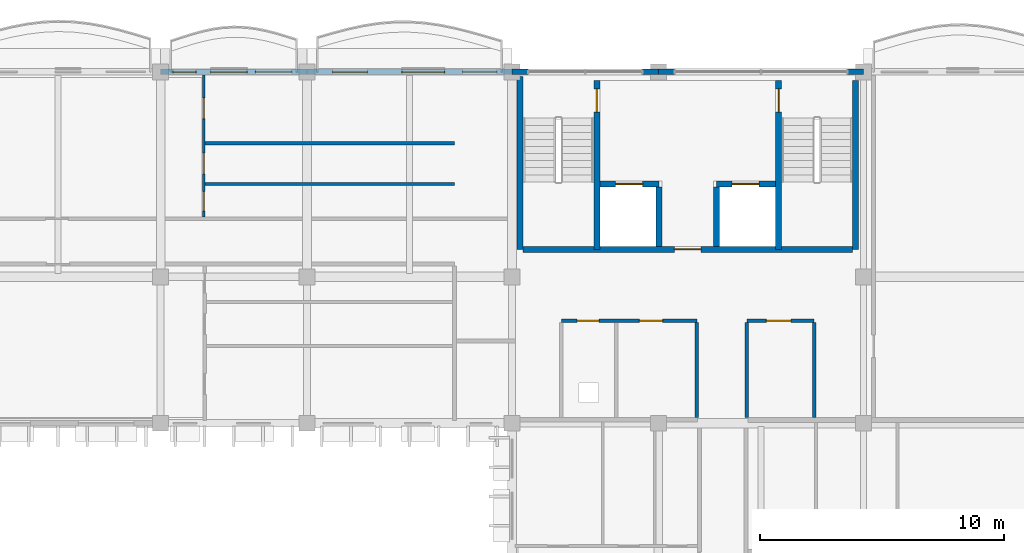
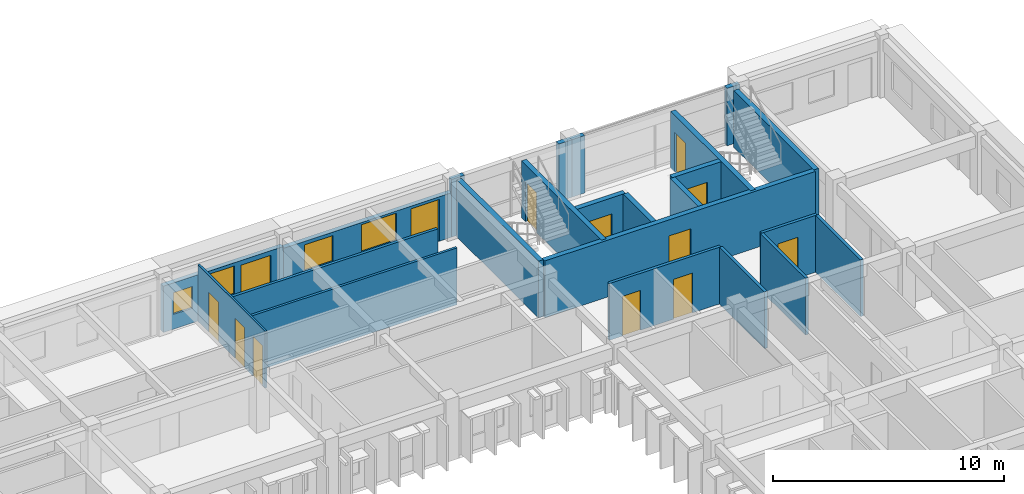
# One storey, part 65 of 101: 23 walls, 13 doors, 4 windows, 17 openings.
"""IFC4 building model written with IfcOpenShell, lengths in metres."""

import ifcopenshell
import ifcopenshell.guid

model = None  # the IFC model being written
_history = None  # IfcOwnerHistory: only IFC2X3 demands one
_inside = {}  # id of a spatial element -> (the spatial element, [elements in it])
_under = {}  # id of a project, library or spatial element -> (it, [spatial elements below it])
_declared = {}  # id of a project -> (the project, [libraries it declares])
_typed = {}  # id of a type object -> (the type object, [elements of that type])
_made_of = {}  # id of a material, layer set ... -> (it, [elements and type objects made of it])


def new_model(schema):
    """Start an empty IFC model of exactly this schema.

    Asked for "IFC4X3", IfcOpenShell would pick the latest addendum, in which some entities
    have other attributes; the version numbers below select the first issue.
    IFC2X3 requires an IfcOwnerHistory on every rooted entity: one is made here for all.
    """
    global model, _history
    if schema == "IFC4X3":
        model = ifcopenshell.file(schema_version=(4, 3, 0, 0))
    else:
        model = ifcopenshell.file(schema=schema)
    _inside.clear()
    _under.clear()
    _declared.clear()
    _typed.clear()
    _made_of.clear()
    _history = None
    if model.schema == "IFC2X3":
        org = make("IfcOrganization", Name="unknown")
        user = make(
            "IfcPersonAndOrganization",
            ThePerson=make("IfcPerson", FamilyName="unknown"),
            TheOrganization=org,
        )
        app = make(
            "IfcApplication",
            ApplicationDeveloper=org,
            Version="unknown",
            ApplicationFullName="unknown",
            ApplicationIdentifier="unknown",
        )
        _history = make(
            "IfcOwnerHistory",
            OwningUser=user,
            OwningApplication=app,
            ChangeAction="ADDED",
            CreationDate=0,
        )
    return model


def make(cls, **values):
    """One entity of the class cls with the attributes given. An attribute that is None is left unset."""
    return model.create_entity(
        cls, **{name: value for name, value in values.items() if value is not None}
    )


def rooted(cls, **values):
    """An entity with a GlobalId (a new one), such as an element, a storey or a relation."""
    return make(cls, GlobalId=ifcopenshell.guid.new(), OwnerHistory=_history, **values)


def si_unit(unit_type, name, prefix=None):
    """IfcSIUnit, for example si_unit("LENGTHUNIT", "METRE", prefix="MILLI")."""
    return make("IfcSIUnit", UnitType=unit_type, Prefix=prefix, Name=name)


def assignment(units):
    """IfcUnitAssignment: the units of a project."""
    return None if units is None else make("IfcUnitAssignment", Units=units)


def point(xyz):
    """IfcCartesianPoint."""
    return None if xyz is None else make("IfcCartesianPoint", Coordinates=xyz)


def direction(xyz):
    """IfcDirection."""
    return None if xyz is None else make("IfcDirection", DirectionRatios=xyz)


def frame(location, z_axis=None, x_axis=None):
    """IfcAxis2Placement3D, a coordinate frame: its origin and axes. An axis left out is left unset."""
    return make(
        "IfcAxis2Placement3D",
        Location=point(location),
        Axis=direction(z_axis),
        RefDirection=direction(x_axis),
    )


def frame_2d(location, x_axis=None):
    """IfcAxis2Placement2D, a coordinate frame in the plane: its origin and x axis."""
    return make(
        "IfcAxis2Placement2D", Location=point(location), RefDirection=direction(x_axis)
    )


def origin():
    """The frame at (0, 0, 0) with its axes left unset."""
    return frame((0.0, 0.0, 0.0))


def place(relative_to, where):
    """IfcLocalPlacement: puts the frame where relative to a parent placement (None: the world)."""
    return make(
        "IfcLocalPlacement", PlacementRelTo=relative_to, RelativePlacement=where
    )


def context(
    kind, dimensions, precision=None, world=None, true_north=None, identifier=None
):
    """IfcGeometricRepresentationContext, for example the 3D "Model" context."""
    return make(
        "IfcGeometricRepresentationContext",
        ContextIdentifier=identifier,
        ContextType=kind,
        CoordinateSpaceDimension=dimensions,
        Precision=precision,
        WorldCoordinateSystem=world,
        TrueNorth=true_north,
    )


def subcontext(parent, identifier, kind, view, scale=None):
    """IfcGeometricRepresentationSubContext, for example "Body" below "Model"."""
    return make(
        "IfcGeometricRepresentationSubContext",
        ContextIdentifier=identifier,
        ContextType=kind,
        ParentContext=parent,
        TargetScale=scale,
        TargetView=view,
    )


def project(units=None, contexts=None):
    """IfcProject with its units and contexts."""
    return rooted(
        "IfcProject",
        Name="project",
        RepresentationContexts=contexts,
        UnitsInContext=assignment(units),
    )


def spatial(cls, under=None, at=None, **own):
    """A site, building, storey or space (cls), placed at a placement, below another one or the project."""
    s = rooted(cls, ObjectPlacement=at, **own)
    if under is not None:
        _under.setdefault(under.id(), (under, []))[1].append(s)
    return s


def profile(cls, at=None, kind="AREA", **sizes):
    """A parametric profile (cls). Its sizes go by their IFC names, for example OverallWidth=200.0."""
    return make(cls, ProfileType=kind, Position=at, **sizes)


def rectangle(**sizes):
    """IfcRectangleProfileDef."""
    return profile("IfcRectangleProfileDef", **sizes)


def extrude(swept, where, along, depth):
    """IfcExtrudedAreaSolid: the profile swept, set in the frame where, extruded along a direction by depth."""
    return make(
        "IfcExtrudedAreaSolid",
        SweptArea=swept,
        Position=where,
        ExtrudedDirection=direction(along),
        Depth=depth,
    )


def shape(context_of_items, identifier, shape_type, items):
    """IfcShapeRepresentation: the items that make up one representation, for example the "Body"."""
    return make(
        "IfcShapeRepresentation",
        ContextOfItems=context_of_items,
        RepresentationIdentifier=identifier,
        RepresentationType=shape_type,
        Items=items,
    )


def material(Name=None, Category=None):
    """IfcMaterial."""
    return make("IfcMaterial", Name=Name, Category=Category)


def layer(
    of_material, thickness, ventilated=None, Name=None, Category=None, Priority=None
):
    """IfcMaterialLayer: one layer of a wall or slab, of a material (None: an air gap)."""
    return make(
        "IfcMaterialLayer",
        Material=of_material,
        LayerThickness=thickness,
        IsVentilated=ventilated,
        Name=Name,
        Category=Category,
        Priority=Priority,
    )


def layer_set(layers, Name=None):
    """IfcMaterialLayerSet."""
    return make("IfcMaterialLayerSet", MaterialLayers=layers, LayerSetName=Name)


def made_of(thing, what):
    """Note that an element or type object is made of a material, layer set ...; save() writes the relation."""
    if what is not None:
        _made_of.setdefault(what.id(), (what, []))[1].append(thing)
    return thing


def type_object(cls, material=None, **own):
    """A type object (cls), such as IfcWallType, which elements share."""
    return made_of(rooted(cls, **own), material)


def element(
    cls,
    number,
    at=None,
    inside=None,
    cuts=None,
    type_object=None,
    material=None,
    context=None,
    identifier="Body",
    shape_type=None,
    held_by="IfcProductDefinitionShape",
    body=None,
    shapes=None,
    **own,
):
    """One element of the class cls, such as IfcWall. Its Tag is "e" and its number.

    at: its placement. inside: the storey or other place that contains it. cuts: it is an
    opening in that element (IfcRelVoidsElement). A single representation is given by context,
    identifier, shape_type and body (its items); several are given by shapes. held_by: the class
    of the entity that holds the representations. save() writes the other relations.
    """
    e = rooted(cls, Tag="e%d" % number, ObjectPlacement=at, **own)
    if body is not None:
        shapes = [shape(context, identifier, shape_type, body)]
    if shapes is not None:
        e.Representation = make(held_by, Representations=shapes)
    if inside is not None:
        _inside.setdefault(inside.id(), (inside, []))[1].append(e)
    if cuts is not None:
        rooted(
            "IfcRelVoidsElement", RelatingBuildingElement=cuts, RelatedOpeningElement=e
        )
    if type_object is not None:
        _typed.setdefault(type_object.id(), (type_object, []))[1].append(e)
    return made_of(e, material)


def fill(opening, filler):
    """IfcRelFillsElement: the door or window that sits in an opening."""
    return rooted(
        "IfcRelFillsElement",
        RelatingOpeningElement=opening,
        RelatedBuildingElement=filler,
    )


def aggregate(whole, parts):
    """IfcRelAggregates: a whole, such as a stair, and the parts it consists of."""
    return rooted("IfcRelAggregates", RelatingObject=whole, RelatedObjects=parts)


def save(model, path):
    """Write the relations noted so far, then the file.

    IfcRelAggregates (storeys below a building ...), IfcRelContainedInSpatialStructure (elements
    in a storey), IfcRelDefinesByType, IfcRelAssociatesMaterial and IfcRelDeclares: one each for
    every whole, place, type object, material and project.
    """
    for whole, parts in _under.values():
        aggregate(whole, parts)
    for where, things in _inside.values():
        rooted(
            "IfcRelContainedInSpatialStructure",
            RelatedElements=things,
            RelatingStructure=where,
        )
    for kind, things in _typed.values():
        rooted("IfcRelDefinesByType", RelatedObjects=things, RelatingType=kind)
    for what, things in _made_of.values():
        rooted("IfcRelAssociatesMaterial", RelatedObjects=things, RelatingMaterial=what)
    for by, libraries in _declared.values():
        rooted("IfcRelDeclares", RelatingContext=by, RelatedDefinitions=libraries)
    model.write(path)


model = new_model("IFC4")

# Units and contexts
model_context = context("Model", 3, precision=1e-05, world=origin(), true_north=direction((0.0, 1.0)))
body_context = subcontext(model_context, "Body", "Model", "MODEL_VIEW")
ifc_project = project(units=[si_unit("LENGTHUNIT", "METRE"), si_unit("AREAUNIT", "SQUARE_METRE"), si_unit("VOLUMEUNIT", "CUBIC_METRE"), si_unit("PLANEANGLEUNIT", "RADIAN"), si_unit("MASSUNIT", "GRAM", prefix="KILO"), si_unit("THERMODYNAMICTEMPERATUREUNIT", "KELVIN")], contexts=[model_context])

# Site, building, storey
site_placement = place(None, origin())
site = spatial("IfcSite", under=ifc_project, at=site_placement, CompositionType="ELEMENT")
building_placement = place(site_placement, origin())
building = spatial("IfcBuilding", under=site, at=building_placement, Name="Thalorik Housing Commons", CompositionType="ELEMENT")
storey_placement = place(building_placement, frame((0.0, 0.0, 8.10009765625)))
storey = spatial("IfcBuildingStorey", under=building, at=storey_placement, Name="L02", CompositionType="ELEMENT", Elevation=8.10009765625)

# Wall, opening, door
ifc_material_1 = material(Name="Concrete C40/50", Category="concrete")
ifc_layer_1 = layer(ifc_material_1, 0.25, Name="Concrete C40/50", Category="concrete")
ifc_layer_set_1 = layer_set([ifc_layer_1], Name="Concrete C40/50")
wall_type_1 = type_object("IfcWallType", Name="ARC-WAL-CORE-250", PredefinedType="SHEAR", material=ifc_layer_set_1)
wall_1_placement = place(storey_placement, frame((155.875, 123.25, 0.0), z_axis=(0.0, 0.0, 1.0), x_axis=(0.0, -1.0, 0.0)))
wall_1 = element("IfcWall", 1, at=wall_1_placement, inside=storey, type_object=wall_type_1, Name="L02 Core B Stair 1 Shear Wall", PredefinedType="SHEAR", context=body_context, shape_type="SweptSolid", body=[
    extrude(rectangle(XDim=6.925048828125, YDim=0.25, at=frame_2d((3.46240234375, 0.0))), origin(), (0.0, 0.0, 1.0), 3.0),
])
opening_1_placement = place(wall_1_placement, frame((0.35009765625, 0.0, 0.0)))
opening_1 = element("IfcOpeningElement", 2, at=opening_1_placement, cuts=wall_1, Name="Opening ID-0161", PredefinedType="OPENING", context=body_context, shape_type="SweptSolid", body=[
    extrude(rectangle(XDim=0.949951171875, YDim=2.10009765625, at=frame_2d((0.47509765625, 1.050048828125))), frame((0.0, 0.135009765625, 0.0), z_axis=(0.0, -1.0, 0.0), x_axis=(1.0, 0.0, 0.0)), (0.0, 0.0, 1.0), 0.27001953125),
])
ifc_material_2 = material(Name="Steel S355", Category="steel")
door_type_1 = type_object("IfcDoorType", Name="ARC-DR-FD60-950", OperationType="NOTDEFINED", PredefinedType="DOOR", material=ifc_material_2)
door_1_placement = place(opening_1_placement, origin())
door_1 = element("IfcDoor", 3, at=door_1_placement, inside=storey, type_object=door_type_1, Name="L02 Stair ST-B1 Fire Door", OperationType="SINGLE_SWING_RIGHT", OverallHeight=2.10009765625, OverallWidth=0.949951171875, PredefinedType="DOOR", context=body_context, shape_type="SweptSolid", body=[
    extrude(rectangle(XDim=0.949951171875, YDim=2.10009765625, at=frame_2d((0.47509765625, 1.050048828125))), frame((0.0, 0.02490234375, 0.0), z_axis=(0.0, -1.0, 0.0), x_axis=(1.0, 0.0, 0.0)), (0.0, 0.0, 1.0), 0.050048828125),
])
fill(opening_1, door_1)

# Walls
wall_2_placement = place(storey_placement, frame((152.72509765625, 123.39990234375, 0.0), z_axis=(0.0, 0.0, 1.0), x_axis=(0.0, -1.0, 0.0)))
element("IfcWall", 4, at=wall_2_placement, inside=storey, type_object=wall_type_1, Name="L02 Core B Stair 1 Outer Shear Wall", PredefinedType="SHEAR", context=body_context, shape_type="SweptSolid", body=[
    extrude(rectangle(XDim=7.074951171875, YDim=0.25, at=frame_2d((3.53759765625, 0.0))), origin(), (0.0, 0.0, 1.0), 3.0),
])
wall_3_placement = place(storey_placement, frame((166.47509765625, 123.25, 0.0), z_axis=(0.0, 0.0, 1.0), x_axis=(0.0, -1.0, 0.0)))
element("IfcWall", 5, at=wall_3_placement, inside=storey, type_object=wall_type_1, Name="L02 Core B Stair 2 Outer Shear Wall", PredefinedType="SHEAR", context=body_context, shape_type="SweptSolid", body=[
    extrude(rectangle(XDim=6.925048828125, YDim=0.25, at=frame_2d((3.46240234375, 0.0))), origin(), (0.0, 0.0, 1.0), 3.0),
])

# Wall, opening, door
wall_4_placement = place(storey_placement, frame((163.324951171875, 123.25, 0.0), z_axis=(0.0, 0.0, 1.0), x_axis=(0.0, -1.0, 0.0)))
wall_4 = element("IfcWall", 6, at=wall_4_placement, inside=storey, type_object=wall_type_1, Name="L02 Core B Stair 2 Shear Wall", PredefinedType="SHEAR", context=body_context, shape_type="SweptSolid", body=[
    extrude(rectangle(XDim=6.925048828125, YDim=0.25, at=frame_2d((3.46240234375, 0.0))), origin(), (0.0, 0.0, 1.0), 3.0),
])
opening_2_placement = place(wall_4_placement, frame((0.35009765625, 0.0, 0.0)))
opening_2 = element("IfcOpeningElement", 7, at=opening_2_placement, cuts=wall_4, Name="Opening ID-0162", PredefinedType="OPENING", context=body_context, shape_type="SweptSolid", body=[
    extrude(rectangle(XDim=0.949951171875, YDim=2.10009765625, at=frame_2d((0.47509765625, 1.050048828125))), frame((0.0, 0.135009765625, 0.0), z_axis=(0.0, -1.0, 0.0), x_axis=(1.0, 0.0, 0.0)), (0.0, 0.0, 1.0), 0.27001953125),
])
door_2_placement = place(opening_2_placement, origin())
door_2 = element("IfcDoor", 8, at=door_2_placement, inside=storey, type_object=door_type_1, Name="L02 Stair ST-B2 Fire Door", OperationType="SINGLE_SWING_LEFT", OverallHeight=2.10009765625, OverallWidth=0.949951171875, PredefinedType="DOOR", context=body_context, shape_type="SweptSolid", body=[
    extrude(rectangle(XDim=0.949951171875, YDim=2.10009765625, at=frame_2d((0.47509765625, 1.050048828125))), frame((0.0, 0.02490234375, 0.0), z_axis=(0.0, -1.0, 0.0), x_axis=(1.0, 0.0, 0.0)), (0.0, 0.0, 1.0), 0.050048828125),
])
fill(opening_2, door_2)

wall_5_placement = place(storey_placement, frame((156.0, 119.0, 0.0), z_axis=(0.0, 0.0, 1.0), x_axis=(1.0, 0.0, 0.0)))
wall_5 = element("IfcWall", 9, at=wall_5_placement, inside=storey, type_object=wall_type_1, Name="L02 Lift LF-B1 Front Shaft Wall", PredefinedType="SHEAR", context=body_context, shape_type="SweptSolid", body=[
    extrude(rectangle(XDim=2.425048828125, YDim=0.25, at=frame_2d((1.21240234375, 0.0))), origin(), (0.0, 0.0, 1.0), 3.0),
])
opening_3_placement = place(wall_5_placement, frame((0.64990234375, 0.0, 0.0)))
opening_3 = element("IfcOpeningElement", 10, at=opening_3_placement, cuts=wall_5, Name="Opening LD-LF-B1-L02", PredefinedType="OPENING", context=body_context, shape_type="SweptSolid", body=[
    extrude(rectangle(XDim=1.10009765625, YDim=2.14990234375, at=frame_2d((0.550048828125, 1.074951171875))), frame((0.0, 0.135009765625, 0.0), z_axis=(0.0, -1.0, 0.0), x_axis=(1.0, 0.0, 0.0)), (0.0, 0.0, 1.0), 0.27001953125),
])
door_type_2 = type_object("IfcDoorType", Name="ARC-DR-LIFT-1100", OperationType="NOTDEFINED", PredefinedType="DOOR", material=ifc_material_2)
door_3_placement = place(opening_3_placement, origin())
door_3 = element("IfcDoor", 11, at=door_3_placement, inside=storey, type_object=door_type_2, Name="L02 Lift LF-B1 Landing Door", OperationType="SLIDING_TO_LEFT", OverallHeight=2.14990234375, OverallWidth=1.10009765625, PredefinedType="DOOR", context=body_context, shape_type="SweptSolid", body=[
    extrude(rectangle(XDim=1.10009765625, YDim=2.14990234375, at=frame_2d((0.550048828125, 1.074951171875))), frame((0.0, 0.02490234375, 0.0), z_axis=(0.0, -1.0, 0.0), x_axis=(1.0, 0.0, 0.0)), (0.0, 0.0, 1.0), 0.050048828125),
])
fill(opening_3, door_3)

wall_6_placement = place(storey_placement, frame((160.77490234375, 119.0, 0.0), z_axis=(0.0, 0.0, 1.0), x_axis=(1.0, 0.0, 0.0)))
wall_6 = element("IfcWall", 12, at=wall_6_placement, inside=storey, type_object=wall_type_1, Name="L02 Lift LP-B2 Front Shaft Wall", PredefinedType="SHEAR", context=body_context, shape_type="SweptSolid", body=[
    extrude(rectangle(XDim=2.425048828125, YDim=0.25, at=frame_2d((1.21240234375, 0.0))), origin(), (0.0, 0.0, 1.0), 3.0),
])
opening_4_placement = place(wall_6_placement, frame((0.64990234375, 0.0, 0.0)))
opening_4 = element("IfcOpeningElement", 13, at=opening_4_placement, cuts=wall_6, Name="Opening LD-LP-B2-L02", PredefinedType="OPENING", context=body_context, shape_type="SweptSolid", body=[
    extrude(rectangle(XDim=1.10009765625, YDim=2.14990234375, at=frame_2d((0.550048828125, 1.074951171875))), frame((0.0, 0.135009765625, 0.0), z_axis=(0.0, -1.0, 0.0), x_axis=(1.0, 0.0, 0.0)), (0.0, 0.0, 1.0), 0.27001953125),
])
door_4_placement = place(opening_4_placement, origin())
door_4 = element("IfcDoor", 14, at=door_4_placement, inside=storey, type_object=door_type_2, Name="L02 Lift LP-B2 Landing Door", OperationType="SLIDING_TO_LEFT", OverallHeight=2.14990234375, OverallWidth=1.10009765625, PredefinedType="DOOR", context=body_context, shape_type="SweptSolid", body=[
    extrude(rectangle(XDim=1.10009765625, YDim=2.14990234375, at=frame_2d((0.550048828125, 1.074951171875))), frame((0.0, 0.02490234375, 0.0), z_axis=(0.0, -1.0, 0.0), x_axis=(1.0, 0.0, 0.0)), (0.0, 0.0, 1.0), 0.050048828125),
])
fill(opening_4, door_4)

# Walls
for number, where, z_axis, x_axis, name in (
    (15, (158.425048828125, 118.875, 0.0), (0.0, 0.0, 1.0), (0.0, -1.0, 0.0), "L02 Lift 1 Cheek Wall"),
    (16, (160.77490234375, 118.875, 0.0), (0.0, 0.0, 1.0), (0.0, -1.0, 0.0), "L02 Lift 2 Cheek Wall"),
):
    element("IfcWall", number, at=place(storey_placement, frame(where, z_axis=z_axis, x_axis=x_axis)), inside=storey, type_object=wall_type_1, Name=name, PredefinedType="SHEAR", context=body_context, shape_type="SweptSolid", body=[
        extrude(rectangle(XDim=2.425048828125, YDim=0.25, at=frame_2d((1.21240234375, 0.0))), origin(), (0.0, 0.0, 1.0), 3.0),
    ])

# Wall, opening, door
wall_7_placement = place(storey_placement, frame((152.85009765625, 116.324951171875, 0.0), z_axis=(0.0, 0.0, 1.0), x_axis=(1.0, 0.0, 0.0)))
wall_7 = element("IfcWall", 17, at=wall_7_placement, inside=storey, type_object=wall_type_1, Name="L02 Core B Spine Shear Wall", PredefinedType="SHEAR", context=body_context, shape_type="SweptSolid", body=[
    extrude(rectangle(XDim=13.5, YDim=0.25, at=frame_2d((6.75, 0.0))), origin(), (0.0, 0.0, 1.0), 3.0),
])
opening_5_placement = place(wall_7_placement, frame((6.199951171875, 0.0, 0.0)))
opening_5 = element("IfcOpeningElement", 18, at=opening_5_placement, cuts=wall_7, Name="Opening ID-0165", PredefinedType="OPENING", context=body_context, shape_type="SweptSolid", body=[
    extrude(rectangle(XDim=1.10009765625, YDim=2.14990234375, at=frame_2d((0.550048828125, 1.074951171875))), frame((0.0, 0.135009765625, 0.0), z_axis=(0.0, -1.0, 0.0), x_axis=(1.0, 0.0, 0.0)), (0.0, 0.0, 1.0), 0.27001953125),
])
door_type_3 = type_object("IfcDoorType", Name="ARC-DR-FD60-1100", OperationType="NOTDEFINED", PredefinedType="DOOR", material=ifc_material_2)
door_5_placement = place(opening_5_placement, origin())
door_5 = element("IfcDoor", 19, at=door_5_placement, inside=storey, type_object=door_type_3, Name="L02 Core B Lobby Fire Door", OperationType="SINGLE_SWING_RIGHT", OverallHeight=2.14990234375, OverallWidth=1.10009765625, PredefinedType="DOOR", context=body_context, shape_type="SweptSolid", body=[
    extrude(rectangle(XDim=1.10009765625, YDim=2.14990234375, at=frame_2d((0.550048828125, 1.074951171875))), frame((0.0, 0.02490234375, 0.0), z_axis=(0.0, -1.0, 0.0), x_axis=(1.0, 0.0, 0.0)), (0.0, 0.0, 1.0), 0.050048828125),
])
fill(opening_5, door_5)

# Walls
ifc_material_3 = material(Name="White precast concrete C40/50", Category="concrete")
ifc_layer_2 = layer(ifc_material_3, 0.235107421875, Name="White precast concrete C40/50", Category="concrete")
ifc_layer_set_2 = layer_set([ifc_layer_2], Name="White precast concrete C40/50")
wall_type_2 = type_object("IfcWallType", Name="ARC-WAL-EXT-235", PredefinedType="STANDARD", material=ifc_layer_set_2)
for number, where, z_axis, x_axis, name in (
    (20, (166.800048828125, 123.60009765625, 0.0), (0.0, 0.0, 1.0), (-1.0, 0.0, 0.0), "L02 Exterior Wall WAL-PIERL-L02-B-0448"),
    (21, (159.050048828125, 123.60009765625, 0.0), (0.0, 0.0, 1.0), (-1.0, 0.0, 0.0), "L02 Exterior Wall WAL-PIERR-L02-B-0448"),
):
    element("IfcWall", number, at=place(storey_placement, frame(where, z_axis=z_axis, x_axis=x_axis)), inside=storey, type_object=wall_type_2, Name=name, PredefinedType="STANDARD", context=body_context, shape_type="SweptSolid", body=[
        extrude(rectangle(XDim=0.650146484375, YDim=0.235107421875, at=frame_2d((0.3251953125, 0.0))), origin(), (0.0, 0.0, 1.0), 3.039794921875),
    ])
wall_8_placement = place(storey_placement, frame((158.39990234375, 123.60009765625, 0.0), z_axis=(0.0, 0.0, 1.0), x_axis=(-1.0, 0.0, 0.0)))
element("IfcWall", 22, at=wall_8_placement, inside=storey, type_object=wall_type_2, Name="L02 Exterior Wall WAL-PIERL-L02-B-0449", PredefinedType="STANDARD", context=body_context, shape_type="SweptSolid", body=[
    extrude(rectangle(XDim=0.64990234375, YDim=0.235107421875, at=frame_2d((0.324951171875, 0.0))), origin(), (0.0, 0.0, 1.0), 3.039794921875),
])
wall_9_placement = place(storey_placement, frame((153.050048828125, 123.60009765625, 0.0), z_axis=(0.0, 0.0, 1.0), x_axis=(-1.0, 0.0, 0.0)))
element("IfcWall", 23, at=wall_9_placement, inside=storey, type_object=wall_type_2, Name="L02 Exterior Wall WAL-PIERR-L02-B-0449", PredefinedType="STANDARD", context=body_context, shape_type="SweptSolid", body=[
    extrude(rectangle(XDim=0.650146484375, YDim=0.235107421875, at=frame_2d((0.3251953125, 0.0))), origin(), (0.0, 0.0, 1.0), 3.039794921875),
])

# Wall, openings, door, windows
wall_10_placement = place(storey_placement, frame((152.39990234375, 123.60009765625, 0.0), z_axis=(0.0, 0.0, 1.0), x_axis=(-1.0, 0.0, 0.0)))
wall_10 = element("IfcWall", 24, at=wall_10_placement, inside=storey, type_object=wall_type_2, Name="L02 Exterior Wall WAL-EXT-L02-B-0450", PredefinedType="STANDARD", context=body_context, shape_type="SweptSolid", body=[
    extrude(rectangle(XDim=8.39990234375, YDim=0.235107421875, at=frame_2d((4.199951171875, 0.0))), origin(), (0.0, 0.0, 1.0), 2.344970703125),
])
opening_6_placement = place(wall_10_placement, frame((0.6201171875, 0.0, 0.0)))
opening_6 = element("IfcOpeningElement", 25, at=opening_6_placement, cuts=wall_10, Name="Opening ED-0126", PredefinedType="OPENING", context=body_context, shape_type="SweptSolid", body=[
    extrude(rectangle(XDim=1.39990234375, YDim=2.199951171875, at=frame_2d((0.699951171875, 1.10009765625))), frame((0.0, 0.12744140625, 0.0), z_axis=(0.0, -1.0, 0.0), x_axis=(1.0, 0.0, 0.0)), (0.0, 0.0, 1.0), 0.255126953125),
])
opening_7_placement = place(wall_10_placement, frame((2.764892578125, 0.0, 0.780029296875)))
opening_7 = element("IfcOpeningElement", 26, at=opening_7_placement, cuts=wall_10, Name="Opening W-17", PredefinedType="OPENING", context=body_context, shape_type="SweptSolid", body=[
    extrude(rectangle(XDim=1.75, YDim=1.449951171875, at=frame_2d((0.875, 0.72509765625))), frame((0.0, 0.12744140625, 0.0), z_axis=(0.0, -1.0, 0.0), x_axis=(1.0, 0.0, 0.0)), (0.0, 0.0, 1.0), 0.255126953125),
])
opening_8_placement = place(wall_10_placement, frame((5.929931640625, 0.0, 0.780029296875)))
opening_8 = element("IfcOpeningElement", 27, at=opening_8_placement, cuts=wall_10, Name="Opening W-50", PredefinedType="OPENING", context=body_context, shape_type="SweptSolid", body=[
    extrude(rectangle(XDim=1.419921875, YDim=1.3798828125, at=frame_2d((0.7099609375, 0.68994140625))), frame((0.0, 0.12744140625, 0.0), z_axis=(0.0, -1.0, 0.0), x_axis=(1.0, 0.0, 0.0)), (0.0, 0.0, 1.0), 0.255126953125),
])
ifc_material_4 = material(Name="Anodised aluminium and laminated safety glass", Category="aluminium")
door_type_4 = type_object("IfcDoorType", Name="ARC-DR-BAL-1400", OperationType="NOTDEFINED", PredefinedType="DOOR", material=ifc_material_4)
door_6_placement = place(opening_6_placement, frame((1.39990234375, 0.0, 0.0), z_axis=(0.0, 0.0, 1.0), x_axis=(-1.0, 0.0, 0.0)))
door_6 = element("IfcDoor", 28, at=door_6_placement, inside=storey, type_object=door_type_4, Name="L02 Block B Balcony Glazed Door", OperationType="SLIDING_TO_LEFT", OverallHeight=2.199951171875, OverallWidth=1.39990234375, PredefinedType="DOOR", context=body_context, shape_type="SweptSolid", body=[
    extrude(rectangle(XDim=1.39990234375, YDim=2.199951171875, at=frame_2d((0.699951171875, 1.10009765625))), frame((0.0, 0.02490234375, 0.0), z_axis=(0.0, -1.0, 0.0), x_axis=(1.0, 0.0, 0.0)), (0.0, 0.0, 1.0), 0.050048828125),
])
fill(opening_6, door_6)
ifc_material_5 = material(Name="Anodised aluminium and solar-control low-E glass", Category="aluminium")
window_type_1 = type_object("IfcWindowType", Name="ARC-WIN-17", PartitioningType="DOUBLE_PANEL_VERTICAL", PredefinedType="WINDOW", material=ifc_material_5)
window_1_placement = place(opening_7_placement, origin())
window_1 = element("IfcWindow", 29, at=window_1_placement, inside=storey, type_object=window_type_1, Name="L02 Facade Window 798", OverallHeight=1.449951171875, OverallWidth=1.75, PartitioningType="DOUBLE_PANEL_VERTICAL", PredefinedType="WINDOW", context=body_context, shape_type="SweptSolid", body=[
    extrude(rectangle(XDim=1.75, YDim=1.449951171875, at=frame_2d((0.875, 0.72509765625))), frame((0.0, 0.030029296875, 0.0), z_axis=(0.0, -1.0, 0.0), x_axis=(1.0, 0.0, 0.0)), (0.0, 0.0, 1.0), 0.06005859375),
])
fill(opening_7, window_1)
window_type_2 = type_object("IfcWindowType", Name="ARC-WIN-50", PartitioningType="SINGLE_PANEL", PredefinedType="WINDOW", material=ifc_material_5)
window_2_placement = place(opening_8_placement, origin())
window_2 = element("IfcWindow", 30, at=window_2_placement, inside=storey, type_object=window_type_2, Name="L02 Facade Window 799", OverallHeight=1.3798828125, OverallWidth=1.419921875, PartitioningType="SINGLE_PANEL", PredefinedType="WINDOW", context=body_context, shape_type="SweptSolid", body=[
    extrude(rectangle(XDim=1.419921875, YDim=1.3798828125, at=frame_2d((0.7099609375, 0.68994140625))), frame((0.0, 0.030029296875, 0.0), z_axis=(0.0, -1.0, 0.0), x_axis=(1.0, 0.0, 0.0)), (0.0, 0.0, 1.0), 0.06005859375),
])
fill(opening_8, window_2)

wall_11_placement = place(storey_placement, frame((144.0, 123.60009765625, 0.0), z_axis=(0.0, 0.0, 1.0), x_axis=(-1.0, 0.0, 0.0)))
wall_11 = element("IfcWall", 31, at=wall_11_placement, inside=storey, type_object=wall_type_2, Name="L02 Exterior Wall WAL-EXT-L02-B-0451", PredefinedType="STANDARD", context=body_context, shape_type="SweptSolid", body=[
    extrude(rectangle(XDim=6.0, YDim=0.235107421875, at=frame_2d((3.0, 0.0))), origin(), (0.0, 0.0, 1.0), 2.44482421875),
])
opening_9_placement = place(wall_11_placement, frame((0.6201171875, 0.0, 0.0)))
opening_9 = element("IfcOpeningElement", 32, at=opening_9_placement, cuts=wall_11, Name="Opening ED-0127", PredefinedType="OPENING", context=body_context, shape_type="SweptSolid", body=[
    extrude(rectangle(XDim=1.5, YDim=2.199951171875, at=frame_2d((0.75, 1.10009765625))), frame((0.0, 0.12744140625, 0.0), z_axis=(0.0, -1.0, 0.0), x_axis=(1.0, 0.0, 0.0)), (0.0, 0.0, 1.0), 0.255126953125),
])
opening_10_placement = place(wall_11_placement, frame((2.4501953125, 0.0, 0.780029296875)))
opening_10 = element("IfcOpeningElement", 33, at=opening_10_placement, cuts=wall_11, Name="Opening W-10", PredefinedType="OPENING", context=body_context, shape_type="SweptSolid", body=[
    extrude(rectangle(XDim=1.5, YDim=1.5, at=frame_2d((0.75, 0.75))), frame((0.0, 0.12744140625, 0.0), z_axis=(0.0, -1.0, 0.0), x_axis=(1.0, 0.0, 0.0)), (0.0, 0.0, 1.0), 0.255126953125),
])
opening_11_placement = place(wall_11_placement, frame((4.545166015625, 0.0, 0.780029296875)))
opening_11 = element("IfcOpeningElement", 34, at=opening_11_placement, cuts=wall_11, Name="Opening W-43", PredefinedType="OPENING", context=body_context, shape_type="SweptSolid", body=[
    extrude(rectangle(XDim=0.949951171875, YDim=1.14990234375, at=frame_2d((0.47509765625, 0.574951171875))), frame((0.0, 0.12744140625, 0.0), z_axis=(0.0, -1.0, 0.0), x_axis=(1.0, 0.0, 0.0)), (0.0, 0.0, 1.0), 0.255126953125),
])
door_type_5 = type_object("IfcDoorType", Name="ARC-DR-BAL-1500", OperationType="NOTDEFINED", PredefinedType="DOOR", material=ifc_material_4)
door_7_placement = place(opening_9_placement, frame((1.5, 0.0, 0.0), z_axis=(0.0, 0.0, 1.0), x_axis=(-1.0, 0.0, 0.0)))
door_7 = element("IfcDoor", 35, at=door_7_placement, inside=storey, type_object=door_type_5, Name="L02 Block B Balcony Glazed Door", OperationType="SLIDING_TO_RIGHT", OverallHeight=2.199951171875, OverallWidth=1.5, PredefinedType="DOOR", context=body_context, shape_type="SweptSolid", body=[
    extrude(rectangle(XDim=1.5, YDim=2.199951171875, at=frame_2d((0.75, 1.10009765625))), frame((0.0, 0.02490234375, 0.0), z_axis=(0.0, -1.0, 0.0), x_axis=(1.0, 0.0, 0.0)), (0.0, 0.0, 1.0), 0.050048828125),
])
fill(opening_9, door_7)
window_type_3 = type_object("IfcWindowType", Name="ARC-WIN-10", PartitioningType="SINGLE_PANEL", PredefinedType="WINDOW", material=ifc_material_5)
window_3_placement = place(opening_10_placement, origin())
window_3 = element("IfcWindow", 36, at=window_3_placement, inside=storey, type_object=window_type_3, Name="L02 Facade Window 800", OverallHeight=1.5, OverallWidth=1.5, PartitioningType="SINGLE_PANEL", PredefinedType="WINDOW", context=body_context, shape_type="SweptSolid", body=[
    extrude(rectangle(XDim=1.5, YDim=1.5, at=frame_2d((0.75, 0.75))), frame((0.0, 0.030029296875, 0.0), z_axis=(0.0, -1.0, 0.0), x_axis=(1.0, 0.0, 0.0)), (0.0, 0.0, 1.0), 0.06005859375),
])
fill(opening_10, window_3)
window_type_4 = type_object("IfcWindowType", Name="ARC-WIN-43", PartitioningType="SINGLE_PANEL", PredefinedType="WINDOW", material=ifc_material_5)
window_4_placement = place(opening_11_placement, origin())
window_4 = element("IfcWindow", 37, at=window_4_placement, inside=storey, type_object=window_type_4, Name="L02 Facade Window 801", OverallHeight=1.14990234375, OverallWidth=0.949951171875, PartitioningType="SINGLE_PANEL", PredefinedType="WINDOW", context=body_context, shape_type="SweptSolid", body=[
    extrude(rectangle(XDim=0.949951171875, YDim=1.14990234375, at=frame_2d((0.47509765625, 0.574951171875))), frame((0.0, 0.030029296875, 0.0), z_axis=(0.0, -1.0, 0.0), x_axis=(1.0, 0.0, 0.0)), (0.0, 0.0, 1.0), 0.06005859375),
])
fill(opening_11, window_4)

# Wall, openings, doors
ifc_material_6 = material(Name="Gypsum light stud partition", Category="masonry")
ifc_layer_3 = layer(ifc_material_6, 0.10009765625, Name="Gypsum light stud partition", Category="masonry")
ifc_layer_set_3 = layer_set([ifc_layer_3], Name="Gypsum light stud partition")
wall_type_3 = type_object("IfcWallType", Name="ARC-WAL-PART-100", PredefinedType="PARTITIONING", material=ifc_layer_set_3)
wall_12_placement = place(storey_placement, frame((139.76953125, 117.656982421875, 0.0), z_axis=(0.0, 0.0, 1.0), x_axis=(0.0, 1.0, 0.0)))
wall_12 = element("IfcWall", 38, at=wall_12_placement, inside=storey, type_object=wall_type_3, Name="L02 Unit 3B Spine Partition", PredefinedType="PARTITIONING", context=body_context, shape_type="SweptSolid", body=[
    extrude(rectangle(XDim=5.823486328125, YDim=0.10009765625, at=frame_2d((2.91162109375, 0.0))), origin(), (0.0, 0.0, 1.0), 3.0),
])
opening_12_placement = place(wall_12_placement, frame((0.23828125, 0.0, 0.0)))
opening_12 = element("IfcOpeningElement", 39, at=opening_12_placement, cuts=wall_12, Name="Opening ID-1040", PredefinedType="OPENING", context=body_context, shape_type="SweptSolid", body=[
    extrude(rectangle(XDim=0.800048828125, YDim=2.10009765625, at=frame_2d((0.39990234375, 1.050048828125))), frame((0.0, 0.06005859375, 0.0), z_axis=(0.0, -1.0, 0.0), x_axis=(1.0, 0.0, 0.0)), (0.0, 0.0, 1.0), 0.1201171875),
])
opening_13_placement = place(wall_12_placement, frame((1.7626953125, 0.0, 0.0)))
opening_13 = element("IfcOpeningElement", 40, at=opening_13_placement, cuts=wall_12, Name="Opening ID-1041", PredefinedType="OPENING", context=body_context, shape_type="SweptSolid", body=[
    extrude(rectangle(XDim=0.85009765625, YDim=2.10009765625, at=frame_2d((0.425048828125, 1.050048828125))), frame((0.0, 0.06005859375, 0.0), z_axis=(0.0, -1.0, 0.0), x_axis=(1.0, 0.0, 0.0)), (0.0, 0.0, 1.0), 0.1201171875),
])
opening_14_placement = place(wall_12_placement, frame((4.027587890625, 0.0, 0.0)))
opening_14 = element("IfcOpeningElement", 41, at=opening_14_placement, cuts=wall_12, Name="Opening ID-1042", PredefinedType="OPENING", context=body_context, shape_type="SweptSolid", body=[
    extrude(rectangle(XDim=0.85009765625, YDim=2.10009765625, at=frame_2d((0.425048828125, 1.050048828125))), frame((0.0, 0.06005859375, 0.0), z_axis=(0.0, -1.0, 0.0), x_axis=(1.0, 0.0, 0.0)), (0.0, 0.0, 1.0), 0.1201171875),
])
ifc_material_7 = material(Name="Moisture-resistant timber", Category="wood")
door_type_6 = type_object("IfcDoorType", Name="ARC-DR-INT-800", OperationType="NOTDEFINED", PredefinedType="DOOR", material=ifc_material_7)
door_8_placement = place(opening_12_placement, origin())
door_8 = element("IfcDoor", 42, at=door_8_placement, inside=storey, type_object=door_type_6, Name="L02 Flat Bathroom Door", OperationType="SINGLE_SWING_LEFT", OverallHeight=2.10009765625, OverallWidth=0.800048828125, PredefinedType="DOOR", context=body_context, shape_type="SweptSolid", body=[
    extrude(rectangle(XDim=0.800048828125, YDim=2.10009765625, at=frame_2d((0.39990234375, 1.050048828125))), frame((0.0, 0.02490234375, 0.0), z_axis=(0.0, -1.0, 0.0), x_axis=(1.0, 0.0, 0.0)), (0.0, 0.0, 1.0), 0.050048828125),
])
fill(opening_12, door_8)
ifc_material_8 = material(Name="Engineered oak timber", Category="wood")
door_type_7 = type_object("IfcDoorType", Name="ARC-DR-INT-850", OperationType="NOTDEFINED", PredefinedType="DOOR", material=ifc_material_8)
door_9_placement = place(opening_13_placement, origin())
door_9 = element("IfcDoor", 43, at=door_9_placement, inside=storey, type_object=door_type_7, Name="L02 Galley Kitchen Door", OperationType="SINGLE_SWING_RIGHT", OverallHeight=2.10009765625, OverallWidth=0.85009765625, PredefinedType="DOOR", context=body_context, shape_type="SweptSolid", body=[
    extrude(rectangle(XDim=0.85009765625, YDim=2.10009765625, at=frame_2d((0.425048828125, 1.050048828125))), frame((0.0, 0.02490234375, 0.0), z_axis=(0.0, -1.0, 0.0), x_axis=(1.0, 0.0, 0.0)), (0.0, 0.0, 1.0), 0.050048828125),
])
fill(opening_13, door_9)
door_10_placement = place(opening_14_placement, origin())
door_10 = element("IfcDoor", 44, at=door_10_placement, inside=storey, type_object=door_type_7, Name="L02 Single Bedroom Door", OperationType="SINGLE_SWING_LEFT", OverallHeight=2.10009765625, OverallWidth=0.85009765625, PredefinedType="DOOR", context=body_context, shape_type="SweptSolid", body=[
    extrude(rectangle(XDim=0.85009765625, YDim=2.10009765625, at=frame_2d((0.425048828125, 1.050048828125))), frame((0.0, 0.02490234375, 0.0), z_axis=(0.0, -1.0, 0.0), x_axis=(1.0, 0.0, 0.0)), (0.0, 0.0, 1.0), 0.050048828125),
])
fill(opening_14, door_10)

# Walls
ifc_material_9 = material(Name="Gypsum acoustic stud partition", Category="masonry")
ifc_layer_4 = layer(ifc_material_9, 0.125, Name="Gypsum acoustic stud partition", Category="masonry")
ifc_layer_set_4 = layer_set([ifc_layer_4], Name="Gypsum acoustic stud partition")
wall_type_4 = type_object("IfcWallType", Name="ARC-WAL-PART-125", PredefinedType="PARTITIONING", material=ifc_layer_set_4)
wall_13_placement = place(storey_placement, frame((139.821533203125, 119.010498046875, 0.0), z_axis=(0.0, 0.0, 1.0), x_axis=(1.0, 0.0, 0.0)))
element("IfcWall", 45, at=wall_13_placement, inside=storey, type_object=wall_type_4, Name="L02 Unit 3B Wet Wall", PredefinedType="PARTITIONING", context=body_context, shape_type="SweptSolid", body=[
    extrude(rectangle(XDim=10.228515625, YDim=0.125, at=frame_2d((5.1142578125, 0.0))), origin(), (0.0, 0.0, 1.0), 3.0),
])
ifc_material_10 = material(Name="Ceramic masonry partition wall", Category="masonry")
ifc_layer_5 = layer(ifc_material_10, 0.139892578125, Name="Ceramic masonry partition wall", Category="masonry")
ifc_layer_set_5 = layer_set([ifc_layer_5], Name="Ceramic masonry partition wall")
wall_type_5 = type_object("IfcWallType", Name="ARC-WAL-PART-140", PredefinedType="PARTITIONING", material=ifc_layer_set_5)
wall_14_placement = place(storey_placement, frame((139.821533203125, 120.67919921875, 0.0), z_axis=(0.0, 0.0, 1.0), x_axis=(1.0, 0.0, 0.0)))
element("IfcWall", 46, at=wall_14_placement, inside=storey, type_object=wall_type_5, Name="L02 Unit 3B Bedroom Partition", PredefinedType="PARTITIONING", context=body_context, shape_type="SweptSolid", body=[
    extrude(rectangle(XDim=10.228515625, YDim=0.139892578125, at=frame_2d((5.1142578125, 0.0))), origin(), (0.0, 0.0, 1.0), 3.0),
])
ifc_layer_6 = layer(ifc_material_10, 0.14794921875, Name="Ceramic masonry partition wall", Category="masonry")
ifc_layer_set_6 = layer_set([ifc_layer_6], Name="Ceramic masonry partition wall")
wall_type_6 = type_object("IfcWallType", Name="ARC-WAL-PART-150", PredefinedType="PARTITIONING", material=ifc_layer_set_6)
wall_15_placement = place(storey_placement, frame((159.97509765625, 113.323974609375, 0.0), z_axis=(0.0, 0.0, 1.0), x_axis=(0.0, -1.0, 0.0)))
element("IfcWall", 47, at=wall_15_placement, inside=storey, type_object=wall_type_6, Name="Core Stem West Cheek Wall", PredefinedType="PARTITIONING", context=body_context, shape_type="SweptSolid", body=[
    extrude(rectangle(XDim=3.889404296875, YDim=0.14794921875, at=frame_2d((1.94482421875, 0.0))), origin(), (0.0, 0.0, 1.0), 3.0),
])
for number, where, z_axis, x_axis, name in (
    (48, (162.02490234375, 113.323974609375, 0.0), (0.0, 0.0, 1.0), (0.0, -1.0, 0.0), "Core Stem East Cheek Wall"),
    (49, (164.780029296875, 113.323974609375, 0.0), (0.0, 0.0, 1.0), (0.0, -1.0, 0.0), "Core East Enclosing Wall"),
):
    element("IfcWall", number, at=place(storey_placement, frame(where, z_axis=z_axis, x_axis=x_axis)), inside=storey, type_object=wall_type_6, Name=name, PredefinedType="PARTITIONING", context=body_context, shape_type="SweptSolid", body=[
        extrude(rectangle(XDim=3.882080078125, YDim=0.14794921875, at=frame_2d((1.94091796875, 0.0))), origin(), (0.0, 0.0, 1.0), 3.0),
    ])

# Wall, openings, doors
wall_16_placement = place(storey_placement, frame((154.419921875, 113.39990234375, 0.0), z_axis=(0.0, 0.0, 1.0), x_axis=(1.0, 0.0, 0.0)))
wall_16 = element("IfcWall", 50, at=wall_16_placement, inside=storey, type_object=wall_type_6, Name="L02 Core B West Corridor Partition", PredefinedType="PARTITIONING", context=body_context, shape_type="SweptSolid", body=[
    extrude(rectangle(XDim=5.55517578125, YDim=0.14794921875, at=frame_2d((2.777587890625, 0.0))), origin(), (0.0, 0.0, 1.0), 3.0),
])
opening_15_placement = place(wall_16_placement, frame((0.64990234375, 0.0, 0.0)))
opening_15 = element("IfcOpeningElement", 51, at=opening_15_placement, cuts=wall_16, Name="Opening ID-0166", PredefinedType="OPENING", context=body_context, shape_type="SweptSolid", body=[
    extrude(rectangle(XDim=0.89990234375, YDim=2.10009765625, at=frame_2d((0.449951171875, 1.050048828125))), frame((0.0, 0.083984375, 0.0), z_axis=(0.0, -1.0, 0.0), x_axis=(1.0, 0.0, 0.0)), (0.0, 0.0, 1.0), 0.16796875),
])
opening_16_placement = place(wall_16_placement, frame((3.199951171875, 0.0, 0.0)))
opening_16 = element("IfcOpeningElement", 52, at=opening_16_placement, cuts=wall_16, Name="Opening ID-0167", PredefinedType="OPENING", context=body_context, shape_type="SweptSolid", body=[
    extrude(rectangle(XDim=0.949951171875, YDim=2.10009765625, at=frame_2d((0.47509765625, 1.050048828125))), frame((0.0, 0.083984375, 0.0), z_axis=(0.0, -1.0, 0.0), x_axis=(1.0, 0.0, 0.0)), (0.0, 0.0, 1.0), 0.16796875),
])
door_type_8 = type_object("IfcDoorType", Name="ARC-DR-FD60-900", OperationType="NOTDEFINED", PredefinedType="DOOR", material=ifc_material_2)
door_11_placement = place(opening_15_placement, origin())
door_11 = element("IfcDoor", 53, at=door_11_placement, inside=storey, type_object=door_type_8, Name="Electrical Riser Door", OperationType="SINGLE_SWING_LEFT", OverallHeight=2.10009765625, OverallWidth=0.89990234375, PredefinedType="DOOR", context=body_context, shape_type="SweptSolid", body=[
    extrude(rectangle(XDim=0.89990234375, YDim=2.10009765625, at=frame_2d((0.449951171875, 1.050048828125))), frame((0.0, 0.02490234375, 0.0), z_axis=(0.0, -1.0, 0.0), x_axis=(1.0, 0.0, 0.0)), (0.0, 0.0, 1.0), 0.050048828125),
])
fill(opening_15, door_11)
door_type_9 = type_object("IfcDoorType", Name="ARC-DR-INT-950", OperationType="NOTDEFINED", PredefinedType="DOOR", material=ifc_material_8)
door_12_placement = place(opening_16_placement, origin())
door_12 = element("IfcDoor", 54, at=door_12_placement, inside=storey, type_object=door_type_9, Name="Accessible Bathroom Door", OperationType="SINGLE_SWING_RIGHT", OverallHeight=2.10009765625, OverallWidth=0.949951171875, PredefinedType="DOOR", context=body_context, shape_type="SweptSolid", body=[
    extrude(rectangle(XDim=0.949951171875, YDim=2.10009765625, at=frame_2d((0.47509765625, 1.050048828125))), frame((0.0, 0.02490234375, 0.0), z_axis=(0.0, -1.0, 0.0), x_axis=(1.0, 0.0, 0.0)), (0.0, 0.0, 1.0), 0.050048828125),
])
fill(opening_16, door_12)

# Wall, opening, door
wall_17_placement = place(storey_placement, frame((162.02490234375, 113.39990234375, 0.0), z_axis=(0.0, 0.0, 1.0), x_axis=(1.0, 0.0, 0.0)))
wall_17 = element("IfcWall", 55, at=wall_17_placement, inside=storey, type_object=wall_type_6, Name="L02 Core B East Corridor Partition", PredefinedType="PARTITIONING", context=body_context, shape_type="SweptSolid", body=[
    extrude(rectangle(XDim=2.755126953125, YDim=0.14794921875, at=frame_2d((1.37744140625, 0.0))), origin(), (0.0, 0.0, 1.0), 3.0),
])
opening_17_placement = place(wall_17_placement, frame((0.800048828125, 0.0, 0.0)))
opening_17 = element("IfcOpeningElement", 56, at=opening_17_placement, cuts=wall_17, Name="Opening ID-0168", PredefinedType="OPENING", context=body_context, shape_type="SweptSolid", body=[
    extrude(rectangle(XDim=1.0, YDim=2.14990234375, at=frame_2d((0.5, 1.074951171875))), frame((0.0, 0.083984375, 0.0), z_axis=(0.0, -1.0, 0.0), x_axis=(1.0, 0.0, 0.0)), (0.0, 0.0, 1.0), 0.16796875),
])
door_type_10 = type_object("IfcDoorType", Name="ARC-DR-FD60-1000", OperationType="NOTDEFINED", PredefinedType="DOOR", material=ifc_material_2)
door_13_placement = place(opening_17_placement, origin())
door_13 = element("IfcDoor", 57, at=door_13_placement, inside=storey, type_object=door_type_10, Name="Core Hub Room Door", OperationType="SINGLE_SWING_LEFT", OverallHeight=2.14990234375, OverallWidth=1.0, PredefinedType="DOOR", context=body_context, shape_type="SweptSolid", body=[
    extrude(rectangle(XDim=1.0, YDim=2.14990234375, at=frame_2d((0.5, 1.074951171875))), frame((0.0, 0.02490234375, 0.0), z_axis=(0.0, -1.0, 0.0), x_axis=(1.0, 0.0, 0.0)), (0.0, 0.0, 1.0), 0.050048828125),
])
fill(opening_17, door_13)

save(model, "model.ifc")
